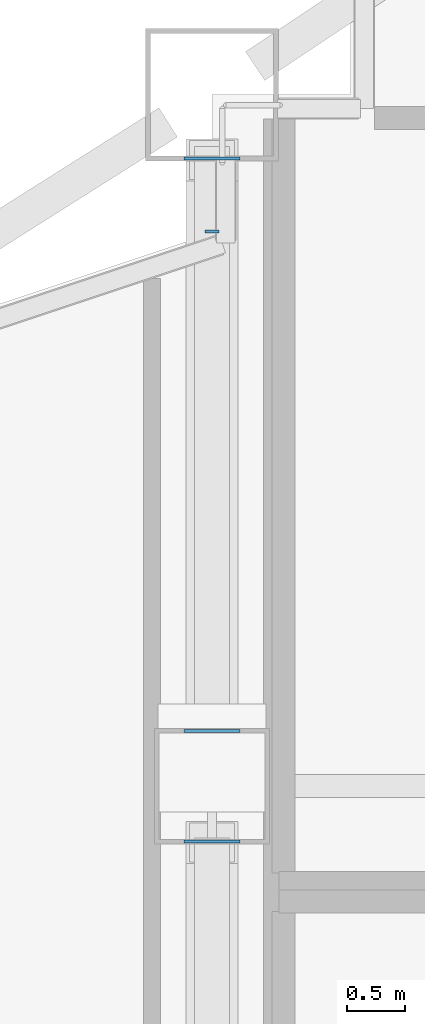
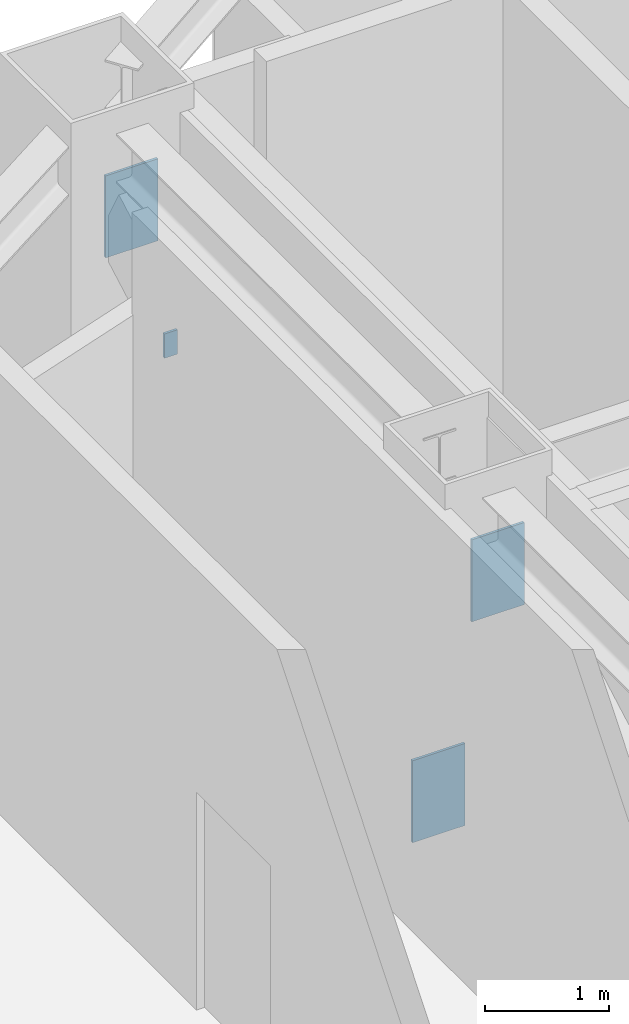
# One storey, part 11 of 23: 4 plates.
"""IFC4 building model written with IfcOpenShell, lengths in metres."""

from ifc_helpers import new_model, si_unit, direction, frame, origin, origin_2d, place, context, subcontext, project, spatial, rectangle, extrude, material, layer, layer_set, type_object, element, save


model = new_model("IFC4")

# Units and contexts
model_context = context("Model", 3, precision=1e-05, world=origin(), true_north=direction((0.0, 1.0)))
body_context = subcontext(model_context, "Body", "Model", "MODEL_VIEW")
ifc_project = project(units=[si_unit("LENGTHUNIT", "METRE"), si_unit("AREAUNIT", "SQUARE_METRE"), si_unit("VOLUMEUNIT", "CUBIC_METRE"), si_unit("PLANEANGLEUNIT", "RADIAN"), si_unit("MASSUNIT", "GRAM", prefix="KILO")], contexts=[model_context])

# Site, building, storey
site_placement = place(None, origin())
site = spatial("IfcSite", under=ifc_project, at=site_placement, CompositionType="ELEMENT")
building_placement = place(site_placement, origin())
building = spatial("IfcBuilding", under=site, at=building_placement, Name="Haolan Belvedere Tower", CompositionType="ELEMENT")
storey_placement = place(building_placement, frame((0.0, 0.0, 89.39990234375)))
storey = spatial("IfcBuildingStorey", under=building, at=storey_placement, Name="L22", CompositionType="ELEMENT", Elevation=89.39990234375)

# Plates
ifc_material = material(Name="Steel Q355B", Category="steel")
ifc_layer = layer(ifc_material, 0.02490234375, Name="Steel Q355B")
ifc_layer_set = layer_set([ifc_layer], Name="Steel Q355B")
plate_type = type_object("IfcPlateType", Name="PL-CAP-25", PredefinedType="SHEET", material=ifc_layer_set)
for number, where, z_axis, x_axis, name in (
    (1, (24.0, 39.120849609375, 3.151123046875), (0.0, 0.0, 1.0), (-1.0, 0.0, 0.0), "Hollow steel end-cap plate BT-W3-L22-CAP1"),
    (2, (24.0, 40.0791015625, 0.388916015625), (0.0, 0.0, 1.0), (1.0, 0.0, 0.0), "Hollow steel end-cap plate BT-W4-L22-CAP0"),
    (3, (24.0, 45.0458984375, 3.151123046875), (0.0, 0.0, 1.0), (-1.0, 0.0, 0.0), "Hollow steel end-cap plate BT-W4-L22-CAP1"),
):
    element("IfcPlate", number, at=place(storey_placement, frame(where, z_axis=z_axis, x_axis=x_axis)), inside=storey, type_object=plate_type, Name=name, PredefinedType="SHEET", context=body_context, shape_type="SweptSolid", body=[
        extrude(rectangle(XDim=0.489990234375, YDim=0.02490234375, at=origin_2d()), origin(), (0.0, 0.0, 1.0), 0.81005859375),
    ])
plate_placement = place(storey_placement, frame((24.0, 44.41259765625, 2.47998046875), z_axis=(0.0, 0.0, 1.0), x_axis=(-1.0, 0.0, 0.0)))
element("IfcPlate", 4, at=plate_placement, inside=storey, type_object=plate_type, Name="Hollow steel end-cap plate GIRT-L22-GW-CAP1", PredefinedType="SHEET", context=body_context, shape_type="SweptSolid", body=[
    extrude(rectangle(XDim=0.1201171875, YDim=0.02490234375, at=origin_2d()), origin(), (0.0, 0.0, 1.0), 0.239990234375),
])

save(model, "model.ifc")
